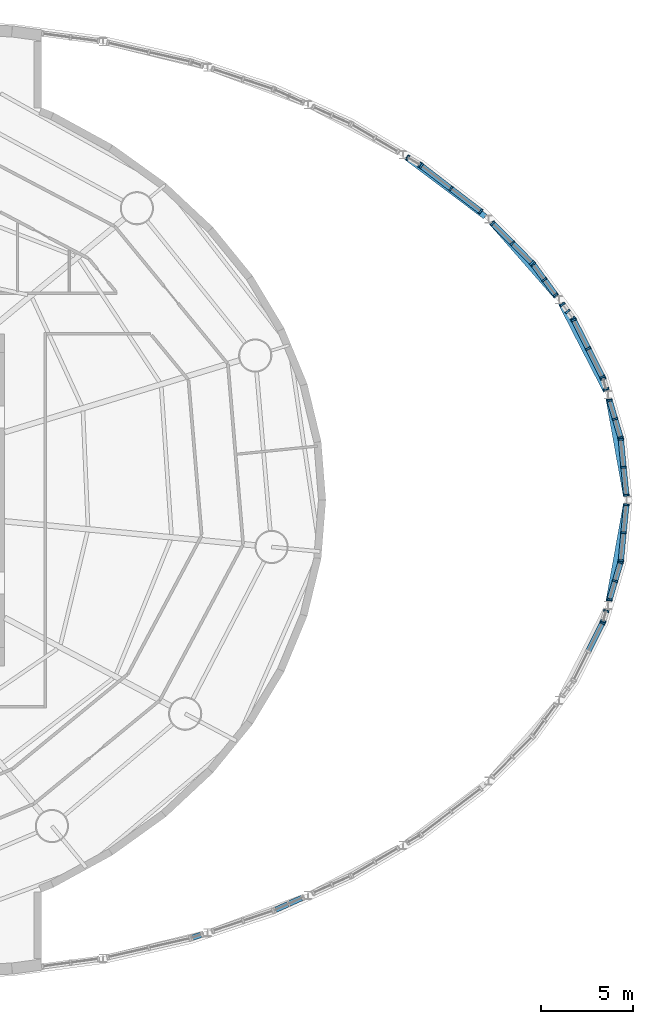
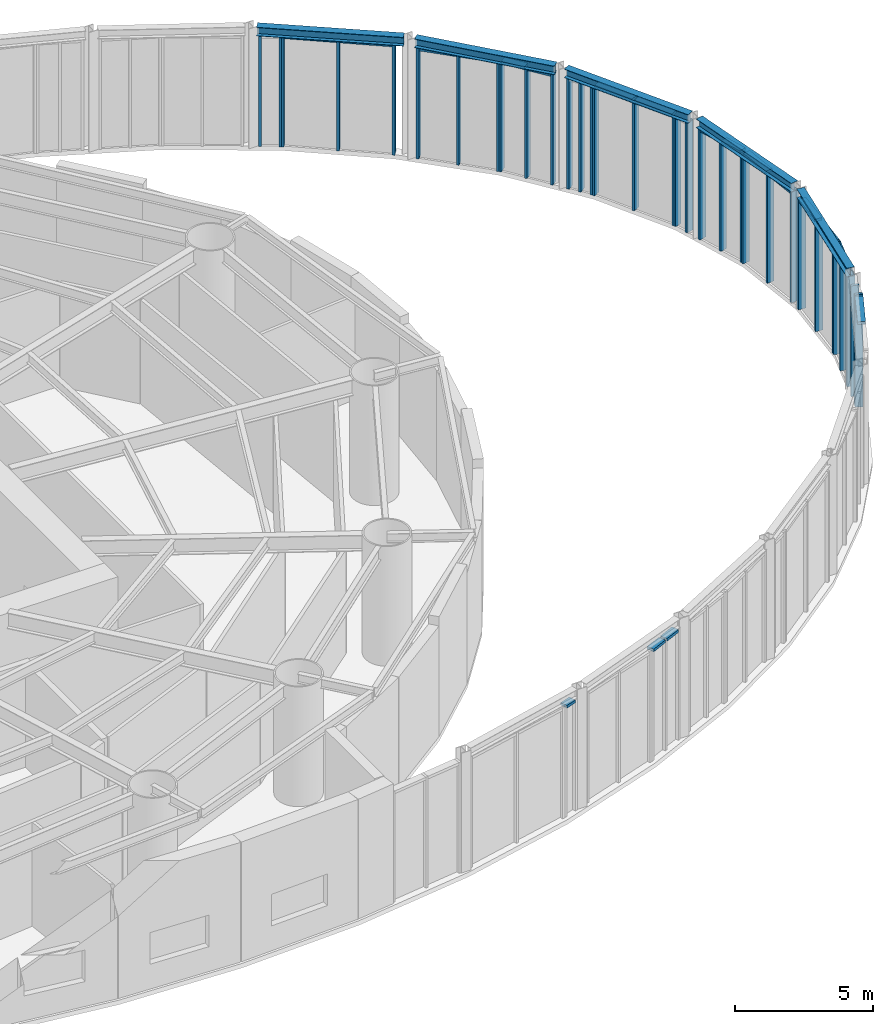
# One storey, part 8 of 19: 54 members, 5 beams, 15 elements without a shape of their own.
"""IFC4 building model written with IfcOpenShell, lengths in metres."""

from ifc_helpers import new_model, si_unit, direction, frame, origin, origin_2d, place, context, subcontext, project, spatial, rectangle, i_section, extrude, material, material_profile, profile_set, type_object, element, aggregate, save


model = new_model("IFC4")

# Units and contexts
model_context = context("Model", 3, precision=1e-05, world=origin(), true_north=direction((0.0, 1.0)))
body_context = subcontext(model_context, "Body", "Model", "MODEL_VIEW")
ifc_project = project(units=[si_unit("LENGTHUNIT", "METRE"), si_unit("AREAUNIT", "SQUARE_METRE"), si_unit("VOLUMEUNIT", "CUBIC_METRE"), si_unit("PLANEANGLEUNIT", "RADIAN"), si_unit("MASSUNIT", "GRAM", prefix="KILO")], contexts=[model_context])

# Site, building, storey
site_placement = place(None, origin())
site = spatial("IfcSite", under=ifc_project, at=site_placement, CompositionType="ELEMENT")
building_placement = place(site_placement, origin())
building = spatial("IfcBuilding", under=site, at=building_placement, Name="Vermilion Reach Broadcast Tower", CompositionType="ELEMENT")
storey_placement = place(building_placement, frame((0.0, 0.0, 26.0)))
storey = spatial("IfcBuildingStorey", under=building, at=storey_placement, Name="L03", CompositionType="ELEMENT", Elevation=26.0)

# Curtain wall, member
ifc_material_1 = material(Name="Low-e laminated clear glass in aluminium frame", Category="aluminium")
curtain_wall_type = type_object("IfcCurtainWallType", Name="Atrium outer wall curtain wall", PredefinedType="NOTDEFINED", material=ifc_material_1)
placement = place(storey_placement, origin())
curtain_wall_1 = element("IfcCurtainWall", 1, at=placement, inside=storey, type_object=curtain_wall_type, Name="Atrium wall L03 09", PredefinedType="NOTDEFINED")
ifc_material_2 = material(Name="Anodised aluminium", Category="aluminium")
ifc_material_profile_1 = material_profile(ifc_material_2, rectangle(XDim=0.300048828125, YDim=0.10009765625, at=origin_2d()), Name="Atrium outer wall mullion 100 x 300")
ifc_profile_set_1 = profile_set([ifc_material_profile_1], Name="Anodised aluminium")
member_type_1 = type_object("IfcMemberType", Name="Atrium outer wall mullion 100 x 300", PredefinedType="MULLION", material=ifc_profile_set_1)
member_1_placement = place(storey_placement, frame((38.384033203125, -6.6630859375, 0.0), z_axis=(0.0, 0.0, 1.0), x_axis=(-0.892992378986, 0.450071784356, 0.0)))
member_1 = element("IfcMember", 2, at=member_1_placement, type_object=member_type_1, Name="Atrium wall mullion L03 09.3", PredefinedType="MULLION", context=body_context, shape_type="SweptSolid", body=[
    extrude(rectangle(XDim=0.300048828125, YDim=0.10009765625, at=origin_2d()), origin(), (0.0, 0.0, 1.0), 4.909912109375),
])

# Curtain wall, members
curtain_wall_2 = element("IfcCurtainWall", 3, at=placement, inside=storey, type_object=curtain_wall_type, Name="Atrium wall L03 10-1", PredefinedType="NOTDEFINED")
member_2_placement = place(storey_placement, frame((38.420654296875, -6.570556640625, 0.0), z_axis=(0.0, 0.0, 1.0), x_axis=(-0.959047559317, 0.283245086397, 0.0)))
member_2 = element("IfcMember", 4, at=member_2_placement, type_object=member_type_1, Name="Atrium wall mullion L03 10-1.1", PredefinedType="MULLION", context=body_context, shape_type="SweptSolid", body=[
    extrude(rectangle(XDim=0.300048828125, YDim=0.10009765625, at=origin_2d()), origin(), (0.0, 0.0, 1.0), 4.909912109375),
])
member_3_placement = place(storey_placement, frame((38.58544921875, -6.01220703125, 0.0), z_axis=(0.0, 0.0, 1.0), x_axis=(-0.959047559317, 0.283245086397, 0.0)))
member_3 = element("IfcMember", 5, at=member_3_placement, type_object=member_type_1, Name="Atrium wall mullion L03 10-1.2", PredefinedType="MULLION", context=body_context, shape_type="SweptSolid", body=[
    extrude(rectangle(XDim=0.300048828125, YDim=0.10009765625, at=origin_2d()), origin(), (0.0, 0.0, 1.0), 4.909912109375),
])
aggregate(curtain_wall_2, [member_2, member_3])

curtain_wall_3 = element("IfcCurtainWall", 6, at=placement, inside=storey, type_object=curtain_wall_type, Name="Atrium wall L03 10-2", PredefinedType="NOTDEFINED")
member_4_placement = place(storey_placement, frame((38.76904296875, -5.390869140625, 0.0), z_axis=(0.0, 0.0, 1.0), x_axis=(-0.959047559317, 0.283245086397, 0.0)))
member_4 = element("IfcMember", 7, at=member_4_placement, type_object=member_type_1, Name="Atrium wall mullion L03 10-2.1", PredefinedType="MULLION", context=body_context, shape_type="SweptSolid", body=[
    extrude(rectangle(XDim=0.300048828125, YDim=0.10009765625, at=origin_2d()), origin(), (0.0, 0.0, 1.0), 4.909912109375),
])
member_5_placement = place(storey_placement, frame((39.0654296875, -4.387451171875, 0.0), z_axis=(0.0, 0.0, 1.0), x_axis=(-0.959047559317, 0.283245086397, 0.0)))
member_5 = element("IfcMember", 8, at=member_5_placement, type_object=member_type_1, Name="Atrium wall mullion L03 10-2.2", PredefinedType="MULLION", context=body_context, shape_type="SweptSolid", body=[
    extrude(rectangle(XDim=0.300048828125, YDim=0.10009765625, at=origin_2d()), origin(), (0.0, 0.0, 1.0), 4.909912109375),
])
member_6_placement = place(storey_placement, frame((39.361572265625, -3.384033203125, 0.0), z_axis=(0.0, 0.0, 1.0), x_axis=(-0.959047559317, 0.283245086397, 0.0)))
member_6 = element("IfcMember", 9, at=member_6_placement, type_object=member_type_1, Name="Atrium wall mullion L03 10-2.3", PredefinedType="MULLION", context=body_context, shape_type="SweptSolid", body=[
    extrude(rectangle(XDim=0.300048828125, YDim=0.10009765625, at=origin_2d()), origin(), (0.0, 0.0, 1.0), 4.909912109375),
])

curtain_wall_4 = element("IfcCurtainWall", 10, at=placement, inside=storey, type_object=curtain_wall_type, Name="Atrium wall L03 11", PredefinedType="NOTDEFINED")
member_7_placement = place(storey_placement, frame((39.380615234375, -3.286376953125, 0.0), z_axis=(0.0, 0.0, 1.0), x_axis=(-0.995297951094, 0.096860665643, 0.0)))
member_7 = element("IfcMember", 11, at=member_7_placement, type_object=member_type_1, Name="Atrium wall mullion L03 11.1", PredefinedType="MULLION", context=body_context, shape_type="SweptSolid", body=[
    extrude(rectangle(XDim=0.300048828125, YDim=0.10009765625, at=origin_2d()), origin(), (0.0, 0.0, 1.0), 4.909912109375),
])
member_8_placement = place(storey_placement, frame((39.52783203125, -1.774658203125, 0.0), z_axis=(0.0, 0.0, 1.0), x_axis=(-0.995297951094, 0.096860665643, 0.0)))
member_8 = element("IfcMember", 12, at=member_8_placement, type_object=member_type_1, Name="Atrium wall mullion L03 11.2", PredefinedType="MULLION", context=body_context, shape_type="SweptSolid", body=[
    extrude(rectangle(XDim=0.300048828125, YDim=0.10009765625, at=origin_2d()), origin(), (0.0, 0.0, 1.0), 4.909912109375),
])
member_9_placement = place(storey_placement, frame((39.6748046875, -0.2626953125, 0.0), z_axis=(0.0, 0.0, 1.0), x_axis=(-0.995297951094, 0.096860665643, 0.0)))
member_9 = element("IfcMember", 13, at=member_9_placement, type_object=member_type_1, Name="Atrium wall mullion L03 11.3", PredefinedType="MULLION", context=body_context, shape_type="SweptSolid", body=[
    extrude(rectangle(XDim=0.300048828125, YDim=0.10009765625, at=origin_2d()), origin(), (0.0, 0.0, 1.0), 4.909912109375),
])

curtain_wall_5 = element("IfcCurtainWall", 14, at=placement, inside=storey, type_object=curtain_wall_type, Name="Atrium wall L03 12", PredefinedType="NOTDEFINED")
member_10_placement = place(storey_placement, frame((39.6748046875, 0.2626953125, 0.0), z_axis=(0.0, 0.0, 1.0), x_axis=(-0.995297951094, -0.096860665643, 0.0)))
member_10 = element("IfcMember", 15, at=member_10_placement, type_object=member_type_1, Name="Atrium wall mullion L03 12.1", PredefinedType="MULLION", context=body_context, shape_type="SweptSolid", body=[
    extrude(rectangle(XDim=0.300048828125, YDim=0.10009765625, at=origin_2d()), origin(), (0.0, 0.0, 1.0), 4.909912109375),
])
member_11_placement = place(storey_placement, frame((39.52783203125, 1.774658203125, 0.0), z_axis=(0.0, 0.0, 1.0), x_axis=(-0.995297951094, -0.096860665643, 0.0)))
member_11 = element("IfcMember", 16, at=member_11_placement, type_object=member_type_1, Name="Atrium wall mullion L03 12.2", PredefinedType="MULLION", context=body_context, shape_type="SweptSolid", body=[
    extrude(rectangle(XDim=0.300048828125, YDim=0.10009765625, at=origin_2d()), origin(), (0.0, 0.0, 1.0), 4.909912109375),
])
member_12_placement = place(storey_placement, frame((39.380615234375, 3.286376953125, 0.0), z_axis=(0.0, 0.0, 1.0), x_axis=(-0.995297951094, -0.096860665643, 0.0)))
member_12 = element("IfcMember", 17, at=member_12_placement, type_object=member_type_1, Name="Atrium wall mullion L03 12.3", PredefinedType="MULLION", context=body_context, shape_type="SweptSolid", body=[
    extrude(rectangle(XDim=0.300048828125, YDim=0.10009765625, at=origin_2d()), origin(), (0.0, 0.0, 1.0), 4.909912109375),
])

curtain_wall_6 = element("IfcCurtainWall", 18, at=placement, inside=storey, type_object=curtain_wall_type, Name="Atrium wall L03 13-1", PredefinedType="NOTDEFINED")
member_13_placement = place(storey_placement, frame((39.361572265625, 3.384033203125, 0.0), z_axis=(0.0, 0.0, 1.0), x_axis=(-0.959047559317, -0.283245086397, 0.0)))
member_13 = element("IfcMember", 19, at=member_13_placement, type_object=member_type_1, Name="Atrium wall mullion L03 13-1.1", PredefinedType="MULLION", context=body_context, shape_type="SweptSolid", body=[
    extrude(rectangle(XDim=0.300048828125, YDim=0.10009765625, at=origin_2d()), origin(), (0.0, 0.0, 1.0), 4.909912109375),
])
member_14_placement = place(storey_placement, frame((39.0654296875, 4.387451171875, 0.0), z_axis=(0.0, 0.0, 1.0), x_axis=(-0.959047559317, -0.283245086397, 0.0)))
member_14 = element("IfcMember", 20, at=member_14_placement, type_object=member_type_1, Name="Atrium wall mullion L03 13-1.2", PredefinedType="MULLION", context=body_context, shape_type="SweptSolid", body=[
    extrude(rectangle(XDim=0.300048828125, YDim=0.10009765625, at=origin_2d()), origin(), (0.0, 0.0, 1.0), 4.909912109375),
])
member_15_placement = place(storey_placement, frame((38.76904296875, 5.390869140625, 0.0), z_axis=(0.0, 0.0, 1.0), x_axis=(-0.959047559317, -0.283245086397, 0.0)))
member_15 = element("IfcMember", 21, at=member_15_placement, type_object=member_type_1, Name="Atrium wall mullion L03 13-1.3", PredefinedType="MULLION", context=body_context, shape_type="SweptSolid", body=[
    extrude(rectangle(XDim=0.300048828125, YDim=0.10009765625, at=origin_2d()), origin(), (0.0, 0.0, 1.0), 4.909912109375),
])

curtain_wall_7 = element("IfcCurtainWall", 22, at=placement, inside=storey, type_object=curtain_wall_type, Name="Atrium wall L03 13-2", PredefinedType="NOTDEFINED")
member_16_placement = place(storey_placement, frame((38.58544921875, 6.01220703125, 0.0), z_axis=(0.0, 0.0, 1.0), x_axis=(-0.959047559317, -0.283245086397, 0.0)))
member_16 = element("IfcMember", 23, at=member_16_placement, type_object=member_type_1, Name="Atrium wall mullion L03 13-2.1", PredefinedType="MULLION", context=body_context, shape_type="SweptSolid", body=[
    extrude(rectangle(XDim=0.300048828125, YDim=0.10009765625, at=origin_2d()), origin(), (0.0, 0.0, 1.0), 4.909912109375),
])
member_17_placement = place(storey_placement, frame((38.420654296875, 6.570556640625, 0.0), z_axis=(0.0, 0.0, 1.0), x_axis=(-0.959047559317, -0.283245086397, 0.0)))
member_17 = element("IfcMember", 24, at=member_17_placement, type_object=member_type_1, Name="Atrium wall mullion L03 13-2.2", PredefinedType="MULLION", context=body_context, shape_type="SweptSolid", body=[
    extrude(rectangle(XDim=0.300048828125, YDim=0.10009765625, at=origin_2d()), origin(), (0.0, 0.0, 1.0), 4.909912109375),
])
aggregate(curtain_wall_7, [member_16, member_17])

curtain_wall_8 = element("IfcCurtainWall", 25, at=placement, inside=storey, type_object=curtain_wall_type, Name="Atrium wall L03 14", PredefinedType="NOTDEFINED")
member_18_placement = place(storey_placement, frame((38.384033203125, 6.6630859375, 0.0), z_axis=(0.0, 0.0, 1.0), x_axis=(-0.892992378986, -0.450071784356, 0.0)))
member_18 = element("IfcMember", 26, at=member_18_placement, type_object=member_type_1, Name="Atrium wall mullion L03 14.1", PredefinedType="MULLION", context=body_context, shape_type="SweptSolid", body=[
    extrude(rectangle(XDim=0.300048828125, YDim=0.10009765625, at=origin_2d()), origin(), (0.0, 0.0, 1.0), 4.909912109375),
])
member_19_placement = place(storey_placement, frame((37.6064453125, 8.20556640625, 0.0), z_axis=(0.0, 0.0, 1.0), x_axis=(-0.892992378986, -0.450071784356, 0.0)))
member_19 = element("IfcMember", 27, at=member_19_placement, type_object=member_type_1, Name="Atrium wall mullion L03 14.2", PredefinedType="MULLION", context=body_context, shape_type="SweptSolid", body=[
    extrude(rectangle(XDim=0.300048828125, YDim=0.10009765625, at=origin_2d()), origin(), (0.0, 0.0, 1.0), 4.909912109375),
])
member_20_placement = place(storey_placement, frame((36.8291015625, 9.748046875, 0.0), z_axis=(0.0, 0.0, 1.0), x_axis=(-0.892992378986, -0.450071784356, 0.0)))
member_20 = element("IfcMember", 28, at=member_20_placement, type_object=member_type_1, Name="Atrium wall mullion L03 14.3", PredefinedType="MULLION", context=body_context, shape_type="SweptSolid", body=[
    extrude(rectangle(XDim=0.300048828125, YDim=0.10009765625, at=origin_2d()), origin(), (0.0, 0.0, 1.0), 4.909912109375),
])

curtain_wall_9 = element("IfcCurtainWall", 29, at=placement, inside=storey, type_object=curtain_wall_type, Name="Atrium wall L03 15-1", PredefinedType="NOTDEFINED")
member_21_placement = place(storey_placement, frame((36.777099609375, 9.8330078125, 0.0), z_axis=(0.0, 0.0, 1.0), x_axis=(-0.806847463604, -0.590759824697, 0.0)))
member_21 = element("IfcMember", 30, at=member_21_placement, type_object=member_type_1, Name="Atrium wall mullion L03 15-1.1", PredefinedType="MULLION", context=body_context, shape_type="SweptSolid", body=[
    extrude(rectangle(XDim=0.300048828125, YDim=0.10009765625, at=origin_2d()), origin(), (0.0, 0.0, 1.0), 4.909912109375),
])
member_22_placement = place(storey_placement, frame((36.501220703125, 10.209716796875, 0.0), z_axis=(0.0, 0.0, 1.0), x_axis=(-0.806847463604, -0.590759824697, 0.0)))
member_22 = element("IfcMember", 31, at=member_22_placement, type_object=member_type_1, Name="Atrium wall mullion L03 15-1.2", PredefinedType="MULLION", context=body_context, shape_type="SweptSolid", body=[
    extrude(rectangle(XDim=0.300048828125, YDim=0.10009765625, at=origin_2d()), origin(), (0.0, 0.0, 1.0), 4.909912109375),
])
member_23_placement = place(storey_placement, frame((36.2255859375, 10.586181640625, 0.0), z_axis=(0.0, 0.0, 1.0), x_axis=(-0.806847463604, -0.590759824697, 0.0)))
member_23 = element("IfcMember", 32, at=member_23_placement, type_object=member_type_1, Name="Atrium wall mullion L03 15-1.3", PredefinedType="MULLION", context=body_context, shape_type="SweptSolid", body=[
    extrude(rectangle(XDim=0.300048828125, YDim=0.10009765625, at=origin_2d()), origin(), (0.0, 0.0, 1.0), 4.909912109375),
])
aggregate(curtain_wall_9, [member_21, member_22, member_23])

curtain_wall_10 = element("IfcCurtainWall", 33, at=placement, inside=storey, type_object=curtain_wall_type, Name="Atrium wall L03 15-2", PredefinedType="NOTDEFINED")
member_24_placement = place(storey_placement, frame((35.8427734375, 11.109130859375, 0.0), z_axis=(0.0, 0.0, 1.0), x_axis=(-0.806847463604, -0.590759824697, 0.0)))
member_24 = element("IfcMember", 34, at=member_24_placement, type_object=member_type_1, Name="Atrium wall mullion L03 15-2.1", PredefinedType="MULLION", context=body_context, shape_type="SweptSolid", body=[
    extrude(rectangle(XDim=0.300048828125, YDim=0.10009765625, at=origin_2d()), origin(), (0.0, 0.0, 1.0), 4.909912109375),
])
member_25_placement = place(storey_placement, frame((35.236572265625, 11.936767578125, 0.0), z_axis=(0.0, 0.0, 1.0), x_axis=(-0.806847463604, -0.590759824697, 0.0)))
member_25 = element("IfcMember", 35, at=member_25_placement, type_object=member_type_1, Name="Atrium wall mullion L03 15-2.2", PredefinedType="MULLION", context=body_context, shape_type="SweptSolid", body=[
    extrude(rectangle(XDim=0.300048828125, YDim=0.10009765625, at=origin_2d()), origin(), (0.0, 0.0, 1.0), 4.909912109375),
])
member_26_placement = place(storey_placement, frame((34.630615234375, 12.764404296875, 0.0), z_axis=(0.0, 0.0, 1.0), x_axis=(-0.806847463604, -0.590759824697, 0.0)))
member_26 = element("IfcMember", 36, at=member_26_placement, type_object=member_type_1, Name="Atrium wall mullion L03 15-2.3", PredefinedType="MULLION", context=body_context, shape_type="SweptSolid", body=[
    extrude(rectangle(XDim=0.300048828125, YDim=0.10009765625, at=origin_2d()), origin(), (0.0, 0.0, 1.0), 4.909912109375),
])

curtain_wall_11 = element("IfcCurtainWall", 37, at=placement, inside=storey, type_object=curtain_wall_type, Name="Atrium wall L03 16", PredefinedType="NOTDEFINED")
member_27_placement = place(storey_placement, frame((34.56591796875, 12.84033203125, 0.0), z_axis=(0.0, 0.0, 1.0), x_axis=(-0.709925939614, -0.704276337997, 0.0)))
member_27 = element("IfcMember", 38, at=member_27_placement, type_object=member_type_1, Name="Atrium wall mullion L03 16.1", PredefinedType="MULLION", context=body_context, shape_type="SweptSolid", body=[
    extrude(rectangle(XDim=0.300048828125, YDim=0.10009765625, at=origin_2d()), origin(), (0.0, 0.0, 1.0), 4.909912109375),
])
member_28_placement = place(storey_placement, frame((33.5029296875, 13.911865234375, 0.0), z_axis=(0.0, 0.0, 1.0), x_axis=(-0.709925939614, -0.704276337997, 0.0)))
member_28 = element("IfcMember", 39, at=member_28_placement, type_object=member_type_1, Name="Atrium wall mullion L03 16.2", PredefinedType="MULLION", context=body_context, shape_type="SweptSolid", body=[
    extrude(rectangle(XDim=0.300048828125, YDim=0.10009765625, at=origin_2d()), origin(), (0.0, 0.0, 1.0), 4.909912109375),
])
member_29_placement = place(storey_placement, frame((32.43994140625, 14.983154296875, 0.0), z_axis=(0.0, 0.0, 1.0), x_axis=(-0.709925939614, -0.704276337997, 0.0)))
member_29 = element("IfcMember", 40, at=member_29_placement, type_object=member_type_1, Name="Atrium wall mullion L03 16.3", PredefinedType="MULLION", context=body_context, shape_type="SweptSolid", body=[
    extrude(rectangle(XDim=0.300048828125, YDim=0.10009765625, at=origin_2d()), origin(), (0.0, 0.0, 1.0), 4.909912109375),
])

curtain_wall_12 = element("IfcCurtainWall", 41, at=placement, inside=storey, type_object=curtain_wall_type, Name="Atrium wall L03 17", PredefinedType="NOTDEFINED")
member_30_placement = place(storey_placement, frame((31.7861328125, 15.6328125, 0.0), z_axis=(0.0, 0.0, 1.0), x_axis=(-0.609113924113, -0.793082736826, 0.0)))
member_30 = element("IfcMember", 42, at=member_30_placement, type_object=member_type_1, Name="Atrium wall mullion L03 17.1", PredefinedType="MULLION", context=body_context, shape_type="SweptSolid", body=[
    extrude(rectangle(XDim=0.300048828125, YDim=0.10009765625, at=origin_2d()), origin(), (0.0, 0.0, 1.0), 4.909912109375),
])
member_31_placement = place(storey_placement, frame((30.17626953125, 16.869140625, 0.0), z_axis=(0.0, 0.0, 1.0), x_axis=(-0.609113924113, -0.793082736826, 0.0)))
member_31 = element("IfcMember", 43, at=member_31_placement, type_object=member_type_1, Name="Atrium wall mullion L03 17.2", PredefinedType="MULLION", context=body_context, shape_type="SweptSolid", body=[
    extrude(rectangle(XDim=0.300048828125, YDim=0.10009765625, at=origin_2d()), origin(), (0.0, 0.0, 1.0), 4.909912109375),
])
member_32_placement = place(storey_placement, frame((28.566650390625, 18.10546875, 0.0), z_axis=(0.0, 0.0, 1.0), x_axis=(-0.609113924113, -0.793082736826, 0.0)))
member_32 = element("IfcMember", 44, at=member_32_placement, type_object=member_type_1, Name="Atrium wall mullion L03 17.3", PredefinedType="MULLION", context=body_context, shape_type="SweptSolid", body=[
    extrude(rectangle(XDim=0.300048828125, YDim=0.10009765625, at=origin_2d()), origin(), (0.0, 0.0, 1.0), 4.909912109375),
])

curtain_wall_13 = element("IfcCurtainWall", 45, at=placement, inside=storey, type_object=curtain_wall_type, Name="Atrium wall L03 18-1", PredefinedType="NOTDEFINED")
member_33_placement = place(storey_placement, frame((28.48388671875, 18.161376953125, 0.0), z_axis=(0.0, 0.0, 1.0), x_axis=(-0.508589622127, -0.861009057017, 0.0)))
member_33 = element("IfcMember", 46, at=member_33_placement, type_object=member_type_1, Name="Atrium wall mullion L03 18-1.1", PredefinedType="MULLION", context=body_context, shape_type="SweptSolid", body=[
    extrude(rectangle(XDim=0.300048828125, YDim=0.10009765625, at=origin_2d()), origin(), (0.0, 0.0, 1.0), 4.909912109375),
])
member_34_placement = place(storey_placement, frame((27.849609375, 18.5361328125, 0.0), z_axis=(0.0, 0.0, 1.0), x_axis=(-0.508589622127, -0.861009057017, 0.0)))
member_34 = element("IfcMember", 47, at=member_34_placement, type_object=member_type_1, Name="Atrium wall mullion L03 18-1.2", PredefinedType="MULLION", context=body_context, shape_type="SweptSolid", body=[
    extrude(rectangle(XDim=0.300048828125, YDim=0.10009765625, at=origin_2d()), origin(), (0.0, 0.0, 1.0), 4.909912109375),
])
aggregate(curtain_wall_13, [member_33, member_34])

# Curtain wall, member
curtain_wall_14 = element("IfcCurtainWall", 48, at=placement, inside=storey, type_object=curtain_wall_type, Name="Atrium wall L03 03-1", PredefinedType="NOTDEFINED")
ifc_material_3 = material(Name="Anodised aluminium", Category="aluminium")
ifc_material_profile_2 = material_profile(ifc_material_3, rectangle(XDim=0.300048828125, YDim=0.1201171875, at=origin_2d()), Name="Atrium outer wall transom 300 x 120")
ifc_profile_set_2 = profile_set([ifc_material_profile_2], Name="Anodised aluminium")
member_type_2 = type_object("IfcMemberType", Name="Atrium outer wall transom 300 x 120", PredefinedType="USERDEFINED", material=ifc_profile_set_2)
member_35_placement = place(storey_placement, frame((16.18603515625, -23.700439453125, 4.85009765625), z_axis=(0.948944103966, 0.315444270113, 0.0), x_axis=(-0.315444270113, 0.948944103966, 0.0)))
member_35 = element("IfcMember", 49, at=member_35_placement, type_object=member_type_2, Name="Atrium wall transom L03 03-1.1.2", ObjectType="TRANSOM", PredefinedType="USERDEFINED", context=body_context, shape_type="SweptSolid", body=[
    extrude(rectangle(XDim=0.300048828125, YDim=0.1201171875, at=origin_2d()), origin(), (0.0, 0.0, 1.0), 0.467529296875),
])
aggregate(curtain_wall_14, [member_35])

# Curtain wall, members
curtain_wall_15 = element("IfcCurtainWall", 50, at=placement, inside=storey, type_object=curtain_wall_type, Name="Atrium wall L03 04-1", PredefinedType="NOTDEFINED")
member_36_placement = place(storey_placement, frame((20.6826171875, -22.196044921875, 4.85009765625), z_axis=(0.911946820137, 0.41030841722, 0.0), x_axis=(-0.41030841722, 0.911946820137, 0.0)))
member_36 = element("IfcMember", 51, at=member_36_placement, type_object=member_type_2, Name="Atrium wall transom L03 04-1.1.2", ObjectType="TRANSOM", PredefinedType="USERDEFINED", context=body_context, shape_type="SweptSolid", body=[
    extrude(rectangle(XDim=0.300048828125, YDim=0.1201171875, at=origin_2d()), origin(), (0.0, 0.0, 1.0), 0.7216796875),
])
member_37_placement = place(storey_placement, frame((21.431884765625, -21.85888671875, 4.85009765625), z_axis=(0.911877215452, 0.410463084746, 0.0), x_axis=(-0.410463084746, 0.911877215452, 0.0)))
member_37 = element("IfcMember", 52, at=member_37_placement, type_object=member_type_2, Name="Atrium wall transom L03 04-1.2.2", ObjectType="TRANSOM", PredefinedType="USERDEFINED", context=body_context, shape_type="SweptSolid", body=[
    extrude(rectangle(XDim=0.300048828125, YDim=0.1201171875, at=origin_2d()), origin(), (0.0, 0.0, 1.0), 0.72216796875),
])
aggregate(curtain_wall_15, [member_36, member_37])

# Member
member_38_placement = place(storey_placement, frame((37.62890625, -8.160888671875, 4.85009765625), z_axis=(0.450091864122, 0.892982258419, 0.0), x_axis=(-0.892982258419, 0.450091864122, 0.0)))
member_38 = element("IfcMember", 53, at=member_38_placement, type_object=member_type_2, Name="Atrium wall transom L03 09.2.2", ObjectType="TRANSOM", PredefinedType="USERDEFINED", context=body_context, shape_type="SweptSolid", body=[
    extrude(rectangle(XDim=0.300048828125, YDim=0.1201171875, at=origin_2d()), origin(), (0.0, 0.0, 1.0), 1.627197265625),
])

aggregate(curtain_wall_1, [member_1, member_38])

member_39_placement = place(storey_placement, frame((38.783203125, -5.3427734375, 4.85009765625), z_axis=(0.283297602457, 0.959032047662, 0.0), x_axis=(-0.959032047662, 0.283297602457, 0.0)))
member_39 = element("IfcMember", 54, at=member_39_placement, type_object=member_type_2, Name="Atrium wall transom L03 10-2.1.2", ObjectType="TRANSOM", PredefinedType="USERDEFINED", context=body_context, shape_type="SweptSolid", body=[
    extrude(rectangle(XDim=0.300048828125, YDim=0.1201171875, at=origin_2d()), origin(), (0.0, 0.0, 1.0), 0.9462890625),
])

member_40_placement = place(storey_placement, frame((39.07958984375, -4.339599609375, 4.85009765625), z_axis=(0.283060271492, 0.959102123187, 0.0), x_axis=(-0.959102123187, 0.283060271492, 0.0)))
member_40 = element("IfcMember", 55, at=member_40_placement, type_object=member_type_2, Name="Atrium wall transom L03 10-2.2.2", ObjectType="TRANSOM", PredefinedType="USERDEFINED", context=body_context, shape_type="SweptSolid", body=[
    extrude(rectangle(XDim=0.300048828125, YDim=0.1201171875, at=origin_2d()), origin(), (0.0, 0.0, 1.0), 0.946044921875),
])

aggregate(curtain_wall_3, [member_4, member_5, member_6, member_39, member_40])

member_41_placement = place(storey_placement, frame((39.385498046875, -3.236572265625, 4.85009765625), z_axis=(0.096863028009, 0.995297721189, 0.0), x_axis=(-0.995297721189, 0.096863028009, 0.0)))
member_41 = element("IfcMember", 56, at=member_41_placement, type_object=member_type_2, Name="Atrium wall transom L03 11.1.2", ObjectType="TRANSOM", PredefinedType="USERDEFINED", context=body_context, shape_type="SweptSolid", body=[
    extrude(rectangle(XDim=0.300048828125, YDim=0.1201171875, at=origin_2d()), origin(), (0.0, 0.0, 1.0), 1.4189453125),
])

member_42_placement = place(storey_placement, frame((39.53271484375, -1.724853515625, 4.85009765625), z_axis=(0.096863028009, 0.995297721189, 0.0), x_axis=(-0.995297721189, 0.096863028009, 0.0)))
member_42 = element("IfcMember", 57, at=member_42_placement, type_object=member_type_2, Name="Atrium wall transom L03 11.2.2", ObjectType="TRANSOM", PredefinedType="USERDEFINED", context=body_context, shape_type="SweptSolid", body=[
    extrude(rectangle(XDim=0.300048828125, YDim=0.1201171875, at=origin_2d()), origin(), (0.0, 0.0, 1.0), 1.4189453125),
])

aggregate(curtain_wall_4, [member_7, member_8, member_9, member_41, member_42])

member_43_placement = place(storey_placement, frame((39.670166015625, 0.3125, 4.85009765625), z_axis=(-0.096863028009, 0.995297721189, 0.0), x_axis=(-0.995297721189, -0.096863028009, 0.0)))
member_43 = element("IfcMember", 58, at=member_43_placement, type_object=member_type_2, Name="Atrium wall transom L03 12.1.2", ObjectType="TRANSOM", PredefinedType="USERDEFINED", context=body_context, shape_type="SweptSolid", body=[
    extrude(rectangle(XDim=0.300048828125, YDim=0.1201171875, at=origin_2d()), origin(), (0.0, 0.0, 1.0), 1.4189453125),
])

member_44_placement = place(storey_placement, frame((39.52294921875, 1.82421875, 4.85009765625), z_axis=(-0.096863028009, 0.995297721189, 0.0), x_axis=(-0.995297721189, -0.096863028009, 0.0)))
member_44 = element("IfcMember", 59, at=member_44_placement, type_object=member_type_2, Name="Atrium wall transom L03 12.2.2", ObjectType="TRANSOM", PredefinedType="USERDEFINED", context=body_context, shape_type="SweptSolid", body=[
    extrude(rectangle(XDim=0.300048828125, YDim=0.1201171875, at=origin_2d()), origin(), (0.0, 0.0, 1.0), 1.4189453125),
])

aggregate(curtain_wall_5, [member_10, member_11, member_12, member_43, member_44])

member_45_placement = place(storey_placement, frame((39.347412109375, 3.43212890625, 4.85009765625), z_axis=(-0.283060271492, 0.959102123187, 0.0), x_axis=(-0.959102123187, -0.283060271492, 0.0)))
member_45 = element("IfcMember", 60, at=member_45_placement, type_object=member_type_2, Name="Atrium wall transom L03 13-1.1.2", ObjectType="TRANSOM", PredefinedType="USERDEFINED", context=body_context, shape_type="SweptSolid", body=[
    extrude(rectangle(XDim=0.300048828125, YDim=0.1201171875, at=origin_2d()), origin(), (0.0, 0.0, 1.0), 0.946044921875),
])

member_46_placement = place(storey_placement, frame((39.05126953125, 4.435302734375, 4.85009765625), z_axis=(-0.283297602457, 0.959032047662, 0.0), x_axis=(-0.959032047662, -0.283297602457, 0.0)))
member_46 = element("IfcMember", 61, at=member_46_placement, type_object=member_type_2, Name="Atrium wall transom L03 13-1.2.2", ObjectType="TRANSOM", PredefinedType="USERDEFINED", context=body_context, shape_type="SweptSolid", body=[
    extrude(rectangle(XDim=0.300048828125, YDim=0.1201171875, at=origin_2d()), origin(), (0.0, 0.0, 1.0), 0.9462890625),
])

aggregate(curtain_wall_6, [member_13, member_14, member_15, member_45, member_46])

member_47_placement = place(storey_placement, frame((38.361328125, 6.707763671875, 4.85009765625), z_axis=(-0.450091864122, 0.892982258419, 0.0), x_axis=(-0.892982258419, -0.450091864122, 0.0)))
member_47 = element("IfcMember", 62, at=member_47_placement, type_object=member_type_2, Name="Atrium wall transom L03 14.1.2", ObjectType="TRANSOM", PredefinedType="USERDEFINED", context=body_context, shape_type="SweptSolid", body=[
    extrude(rectangle(XDim=0.300048828125, YDim=0.1201171875, at=origin_2d()), origin(), (0.0, 0.0, 1.0), 1.627197265625),
])

member_48_placement = place(storey_placement, frame((37.583984375, 8.250244140625, 4.85009765625), z_axis=(-0.450091864122, 0.892982258419, 0.0), x_axis=(-0.892982258419, -0.450091864122, 0.0)))
member_48 = element("IfcMember", 63, at=member_48_placement, type_object=member_type_2, Name="Atrium wall transom L03 14.2.2", ObjectType="TRANSOM", PredefinedType="USERDEFINED", context=body_context, shape_type="SweptSolid", body=[
    extrude(rectangle(XDim=0.300048828125, YDim=0.1201171875, at=origin_2d()), origin(), (0.0, 0.0, 1.0), 1.627197265625),
])

aggregate(curtain_wall_8, [member_18, member_19, member_20, member_47, member_48])

member_49_placement = place(storey_placement, frame((35.813232421875, 11.1494140625, 4.85009765625), z_axis=(-0.590849188932, 0.806782025047, 0.0), x_axis=(-0.806782025047, -0.590849188932, 0.0)))
member_49 = element("IfcMember", 64, at=member_49_placement, type_object=member_type_2, Name="Atrium wall transom L03 15-2.1.2", ObjectType="TRANSOM", PredefinedType="USERDEFINED", context=body_context, shape_type="SweptSolid", body=[
    extrude(rectangle(XDim=0.300048828125, YDim=0.1201171875, at=origin_2d()), origin(), (0.0, 0.0, 1.0), 0.926025390625),
])

member_50_placement = place(storey_placement, frame((35.20703125, 11.97705078125, 4.85009765625), z_axis=(-0.590677537, 0.806907706794, 0.0), x_axis=(-0.806907706794, -0.590677537, 0.0)))
member_50 = element("IfcMember", 65, at=member_50_placement, type_object=member_type_2, Name="Atrium wall transom L03 15-2.2.2", ObjectType="TRANSOM", PredefinedType="USERDEFINED", context=body_context, shape_type="SweptSolid", body=[
    extrude(rectangle(XDim=0.300048828125, YDim=0.1201171875, at=origin_2d()), origin(), (0.0, 0.0, 1.0), 0.92578125),
])

aggregate(curtain_wall_10, [member_24, member_25, member_26, member_49, member_50])

member_51_placement = place(storey_placement, frame((34.53076171875, 12.875732421875, 4.85009765625), z_axis=(-0.704329761537, 0.709872937231, 0.0), x_axis=(-0.709872937231, -0.704329761537, 0.0)))
member_51 = element("IfcMember", 66, at=member_51_placement, type_object=member_type_2, Name="Atrium wall transom L03 16.1.2", ObjectType="TRANSOM", PredefinedType="USERDEFINED", context=body_context, shape_type="SweptSolid", body=[
    extrude(rectangle(XDim=0.300048828125, YDim=0.1201171875, at=origin_2d()), origin(), (0.0, 0.0, 1.0), 1.409423828125),
])

member_52_placement = place(storey_placement, frame((33.4677734375, 13.947265625, 4.85009765625), z_axis=(-0.704242454473, 0.709959551889, 0.0), x_axis=(-0.709959551889, -0.704242454473, 0.0)))
member_52 = element("IfcMember", 67, at=member_52_placement, type_object=member_type_2, Name="Atrium wall transom L03 16.2.2", ObjectType="TRANSOM", PredefinedType="USERDEFINED", context=body_context, shape_type="SweptSolid", body=[
    extrude(rectangle(XDim=0.300048828125, YDim=0.1201171875, at=origin_2d()), origin(), (0.0, 0.0, 1.0), 1.4091796875),
])

aggregate(curtain_wall_11, [member_27, member_28, member_29, member_51, member_52])

member_53_placement = place(storey_placement, frame((31.74658203125, 15.663330078125, 4.85009765625), z_axis=(-0.79307054721, 0.609129794993, 0.0), x_axis=(-0.609129794993, -0.79307054721, 0.0)))
member_53 = element("IfcMember", 68, at=member_53_placement, type_object=member_type_2, Name="Atrium wall transom L03 17.1.2", ObjectType="TRANSOM", PredefinedType="USERDEFINED", context=body_context, shape_type="SweptSolid", body=[
    extrude(rectangle(XDim=0.300048828125, YDim=0.1201171875, at=origin_2d()), origin(), (0.0, 0.0, 1.0), 1.929931640625),
])

member_54_placement = place(storey_placement, frame((30.13671875, 16.899658203125, 4.85009765625), z_axis=(-0.79307054721, 0.609129794993, 0.0), x_axis=(-0.609129794993, -0.79307054721, 0.0)))
member_54 = element("IfcMember", 69, at=member_54_placement, type_object=member_type_2, Name="Atrium wall transom L03 17.2.2", ObjectType="TRANSOM", PredefinedType="USERDEFINED", context=body_context, shape_type="SweptSolid", body=[
    extrude(rectangle(XDim=0.300048828125, YDim=0.1201171875, at=origin_2d()), origin(), (0.0, 0.0, 1.0), 1.929931640625),
])

aggregate(curtain_wall_12, [member_30, member_31, member_32, member_53, member_54])

# Beams
ifc_material_4 = material(Name="Steel S355J2", Category="steel")
ifc_material_profile_3 = material_profile(ifc_material_4, i_section(OverallWidth=0.300048828125, OverallDepth=0.389892578125, WebThickness=0.010009765625, FlangeThickness=0.01611328125, at=origin_2d()), Name="S355J2 HM 390x300x10x16")
ifc_profile_set_3 = profile_set([ifc_material_profile_3], Name="Steel S355J2")
beam_type = type_object("IfcBeamType", Name="RM1 HM 390x300x10x16", PredefinedType="BEAM", material=ifc_profile_set_3)
for number, where, z_axis, x_axis, name in (
    (70, (38.715576171875, -5.48486328125, 5.10498046875), (0.176657264491, 0.984272427178, 0.0), (-0.984272427178, 0.176657264491, 0.0), "Rim beam AP07-AP08"),
    (71, (39.6611328125, 0.216552734375, 5.10498046875), (-0.176657264491, 0.984272427178, 0.0), (-0.984272427178, -0.176657264491, 0.0), "Rim beam AP08-AP09"),
):
    element("IfcBeam", number, at=place(storey_placement, frame(where, z_axis=z_axis, x_axis=x_axis)), inside=storey, type_object=beam_type, Name=name, PredefinedType="BEAM", context=body_context, shape_type="SweptSolid", body=[
        extrude(i_section(OverallWidth=0.300048828125, OverallDepth=0.389892578125, WebThickness=0.010009765625, FlangeThickness=0.01611328125, at=origin_2d()), origin(), (0.0, 0.0, 1.0), 5.3525390625),
    ])
beam_1_placement = place(storey_placement, frame((38.576416015625, 5.89697265625, 5.10498046875), z_axis=(-0.456870131235, 0.889533407571, 0.0), x_axis=(-0.889533407571, -0.456870131235, 0.0)))
element("IfcBeam", 72, at=beam_1_placement, inside=storey, type_object=beam_type, Name="Rim beam AP09-AP10", PredefinedType="BEAM", context=body_context, shape_type="SweptSolid", body=[
    extrude(i_section(OverallWidth=0.300048828125, OverallDepth=0.389892578125, WebThickness=0.010009765625, FlangeThickness=0.01611328125, at=origin_2d()), origin(), (0.0, 0.0, 1.0), 5.345458984375),
])
beam_2_placement = place(storey_placement, frame((35.888916015625, 11.012939453125, 5.10498046875), z_axis=(-0.658704425983, 0.752401807009, 0.0), x_axis=(-0.752401807009, -0.658704425983, 0.0)))
element("IfcBeam", 73, at=beam_2_placement, inside=storey, type_object=beam_type, Name="Rim beam AP10-AP11", PredefinedType="BEAM", context=body_context, shape_type="SweptSolid", body=[
    extrude(i_section(OverallWidth=0.300048828125, OverallDepth=0.389892578125, WebThickness=0.010009765625, FlangeThickness=0.01611328125, at=origin_2d()), origin(), (0.0, 0.0, 1.0), 5.3623046875),
])
beam_3_placement = place(storey_placement, frame((32.035888671875, 15.34521484375, 5.10498046875), z_axis=(-0.799426308376, 0.600764161278, 0.0), x_axis=(-0.600764161278, -0.799426308376, 0.0)))
element("IfcBeam", 74, at=beam_3_placement, inside=storey, type_object=beam_type, Name="Rim beam AP11-AP12", PredefinedType="BEAM", context=body_context, shape_type="SweptSolid", body=[
    extrude(i_section(OverallWidth=0.300048828125, OverallDepth=0.389892578125, WebThickness=0.010009765625, FlangeThickness=0.01611328125, at=origin_2d()), origin(), (0.0, 0.0, 1.0), 5.365478515625),
])

save(model, "model.ifc")
